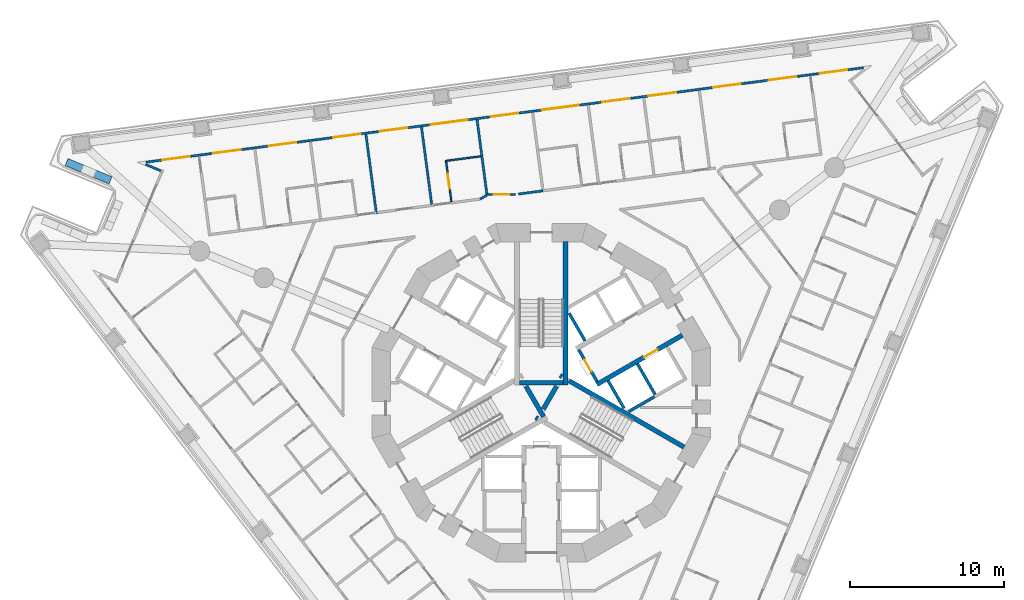
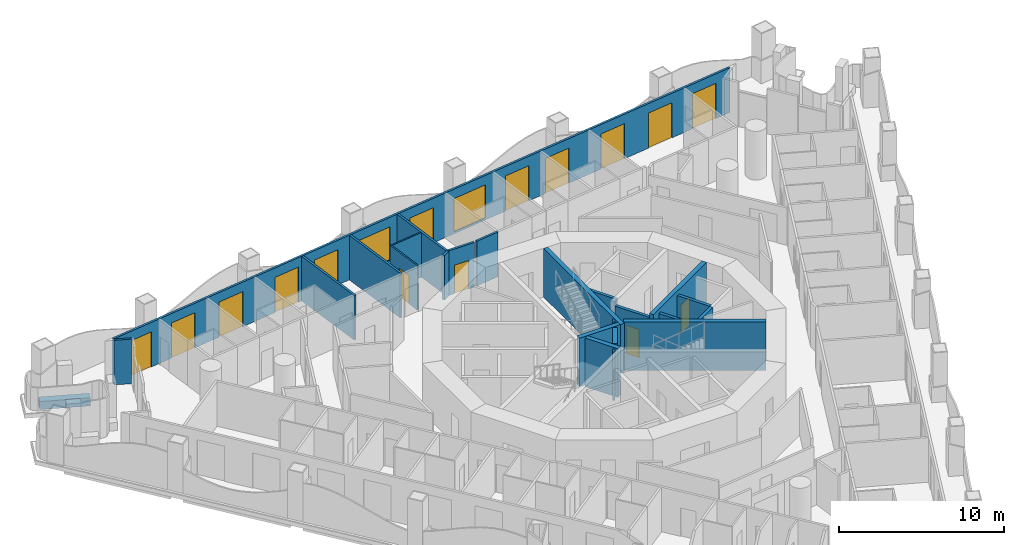
# One storey, part 8 of 19: 24 walls, 15 doors, 2 windows, 17 openings.
"""IFC4 building model written with IfcOpenShell, lengths in metres."""

from ifc_helpers import new_model, si_unit, direction, frame, frame_2d, origin, place, context, subcontext, project, spatial, polyline, rectangle, outline, extrude, material, layer, layer_set, type_object, element, fill, save


model = new_model("IFC4")

# Units and contexts
model_context = context("Model", 3, precision=1e-05, world=origin(), true_north=direction((0.0, 1.0)))
body_context = subcontext(model_context, "Body", "Model", "MODEL_VIEW")
ifc_project = project(units=[si_unit("LENGTHUNIT", "METRE"), si_unit("AREAUNIT", "SQUARE_METRE"), si_unit("VOLUMEUNIT", "CUBIC_METRE"), si_unit("PLANEANGLEUNIT", "RADIAN"), si_unit("MASSUNIT", "GRAM", prefix="KILO")], contexts=[model_context])

# Site, building, storey
site_placement = place(None, origin())
site = spatial("IfcSite", under=ifc_project, at=site_placement, CompositionType="ELEMENT")
building_placement = place(site_placement, origin())
building = spatial("IfcBuilding", under=site, at=building_placement, Name="Trine Commons Tower", CompositionType="ELEMENT")
storey_placement = place(building_placement, frame((0.0, 0.0, 54.0)))
storey = spatial("IfcBuildingStorey", under=building, at=storey_placement, Name="L12", CompositionType="ELEMENT", Elevation=54.0)

# Wall
ifc_material_1 = material(Name="Aluminium-framed insulated wall panel", Category="aluminium")
ifc_layer_1 = layer(ifc_material_1, 0.14990234375)
ifc_layer_set_1 = layer_set([ifc_layer_1], Name="Aluminium-framed insulated wall panel")
wall_type_1 = type_object("IfcWallType", Name="Glazed frame wall 150, EI 60", PredefinedType="SOLIDWALL", material=ifc_layer_set_1)
wall_1_placement = place(storey_placement, frame((55.376220703125, 76.883056640625, 0.0), z_axis=(0.0, 0.0, 1.0), x_axis=(-0.923901801611, 0.382629665579, 0.0)))
element("IfcWall", 1, at=wall_1_placement, inside=storey, type_object=wall_type_1, Name="Glazed frame wall R3", PredefinedType="SOLIDWALL", context=body_context, shape_type="SweptSolid", body=[
    extrude(outline(polyline([(0.110107421875, 0.074951171875), (0.110107421875, -0.074951171875), (1.19580078125, -0.074951171875), (1.19580078125, 0.074951171875), (0.110107421875, 0.074951171875)])), origin(), (0.0, 0.0, 1.0), 3.300048828125),
])

# Wall, openings, windows, doors
wall_2_placement = place(storey_placement, frame((54.142333984375, 77.464599609375, 0.0), z_axis=(0.0, 0.0, 1.0), x_axis=(0.991444696532, 0.130527444308, 0.0)))
wall_2 = element("IfcWall", 2, at=wall_2_placement, inside=storey, type_object=wall_type_1, Name="Glazed frame wall F1", PredefinedType="SOLIDWALL", context=body_context, shape_type="SweptSolid", body=[
    extrude(outline(polyline([(0.1494140625, 0.074951171875), (0.1494140625, -0.074951171875), (47.216796875, -0.074951171875), (47.216796875, 0.074951171875), (0.1494140625, 0.074951171875)])), origin(), (0.0, 0.0, 1.0), 3.300048828125),
])
opening_1_placement = place(wall_2_placement, frame((1.2216796875, 0.0, 0.0)))
opening_1 = element("IfcOpeningElement", 3, at=opening_1_placement, cuts=wall_2, Name="Opening BD-2F1-01", PredefinedType="OPENING", context=body_context, shape_type="SweptSolid", body=[
    extrude(rectangle(XDim=1.800048828125, YDim=2.60009765625, at=frame_2d((0.89990234375, 1.300048828125))), frame((0.0, 0.0849609375, 0.0), z_axis=(0.0, -1.0, 0.0), x_axis=(1.0, 0.0, 0.0)), (0.0, 0.0, 1.0), 0.169921875),
])
opening_2_placement = place(wall_2_placement, frame((4.5654296875, 0.0, 0.0)))
opening_2 = element("IfcOpeningElement", 4, at=opening_2_placement, cuts=wall_2, Name="Opening BD-2F1-02", PredefinedType="OPENING", context=body_context, shape_type="SweptSolid", body=[
    extrude(rectangle(XDim=1.800048828125, YDim=2.60009765625, at=frame_2d((0.89990234375, 1.300048828125))), frame((0.0, 0.0849609375, 0.0), z_axis=(0.0, -1.0, 0.0), x_axis=(1.0, 0.0, 0.0)), (0.0, 0.0, 1.0), 0.169921875),
])
opening_3_placement = place(wall_2_placement, frame((8.208984375, 0.0, 0.0)))
opening_3 = element("IfcOpeningElement", 5, at=opening_3_placement, cuts=wall_2, Name="Opening BD-2F1-03", PredefinedType="OPENING", context=body_context, shape_type="SweptSolid", body=[
    extrude(rectangle(XDim=1.800048828125, YDim=2.60009765625, at=frame_2d((0.89990234375, 1.300048828125))), frame((0.0, 0.0849609375, 0.0), z_axis=(0.0, -1.0, 0.0), x_axis=(1.0, 0.0, 0.0)), (0.0, 0.0, 1.0), 0.169921875),
])
opening_4_placement = place(wall_2_placement, frame((12.45263671875, 0.0, 0.0)))
opening_4 = element("IfcOpeningElement", 6, at=opening_4_placement, cuts=wall_2, Name="Opening BD-2F1-04", PredefinedType="OPENING", context=body_context, shape_type="SweptSolid", body=[
    extrude(rectangle(XDim=1.800048828125, YDim=2.60009765625, at=frame_2d((0.89990234375, 1.300048828125))), frame((0.0, 0.0849609375, 0.0), z_axis=(0.0, -1.0, 0.0), x_axis=(1.0, 0.0, 0.0)), (0.0, 0.0, 1.0), 0.169921875),
])
opening_5_placement = place(wall_2_placement, frame((15.49609375, 0.0, 0.0)))
opening_5 = element("IfcOpeningElement", 7, at=opening_5_placement, cuts=wall_2, Name="Opening BD-2F1-05", PredefinedType="OPENING", context=body_context, shape_type="SweptSolid", body=[
    extrude(rectangle(XDim=1.800048828125, YDim=2.60009765625, at=frame_2d((0.89990234375, 1.300048828125))), frame((0.0, 0.0849609375, 0.0), z_axis=(0.0, -1.0, 0.0), x_axis=(1.0, 0.0, 0.0)), (0.0, 0.0, 1.0), 0.169921875),
])
opening_6_placement = place(wall_2_placement, frame((18.83984375, 0.0, 0.14990234375)))
opening_6 = element("IfcOpeningElement", 8, at=opening_6_placement, cuts=wall_2, Name="Opening W-2F1-06", PredefinedType="OPENING", context=body_context, shape_type="SweptSolid", body=[
    extrude(rectangle(XDim=2.39990234375, YDim=2.449951171875, at=frame_2d((1.199951171875, 1.22509765625))), frame((0.0, 0.0849609375, 0.0), z_axis=(0.0, -1.0, 0.0), x_axis=(1.0, 0.0, 0.0)), (0.0, 0.0, 1.0), 0.169921875),
])
opening_7_placement = place(wall_2_placement, frame((22.783447265625, 0.0, 0.0)))
opening_7 = element("IfcOpeningElement", 9, at=opening_7_placement, cuts=wall_2, Name="Opening BD-2F1-07", PredefinedType="OPENING", context=body_context, shape_type="SweptSolid", body=[
    extrude(rectangle(XDim=1.800048828125, YDim=2.60009765625, at=frame_2d((0.89990234375, 1.300048828125))), frame((0.0, 0.0849609375, 0.0), z_axis=(0.0, -1.0, 0.0), x_axis=(1.0, 0.0, 0.0)), (0.0, 0.0, 1.0), 0.169921875),
])
opening_8_placement = place(wall_2_placement, frame((26.126953125, 0.0, 0.14990234375)))
opening_8 = element("IfcOpeningElement", 10, at=opening_8_placement, cuts=wall_2, Name="Opening W-2F1-08", PredefinedType="OPENING", context=body_context, shape_type="SweptSolid", body=[
    extrude(rectangle(XDim=2.39990234375, YDim=2.449951171875, at=frame_2d((1.199951171875, 1.22509765625))), frame((0.0, 0.0849609375, 0.0), z_axis=(0.0, -1.0, 0.0), x_axis=(1.0, 0.0, 0.0)), (0.0, 0.0, 1.0), 0.169921875),
])
opening_9_placement = place(wall_2_placement, frame((30.070556640625, 0.0, 0.0)))
opening_9 = element("IfcOpeningElement", 11, at=opening_9_placement, cuts=wall_2, Name="Opening BD-2F1-09", PredefinedType="OPENING", context=body_context, shape_type="SweptSolid", body=[
    extrude(rectangle(XDim=1.800048828125, YDim=2.60009765625, at=frame_2d((0.89990234375, 1.300048828125))), frame((0.0, 0.0849609375, 0.0), z_axis=(0.0, -1.0, 0.0), x_axis=(1.0, 0.0, 0.0)), (0.0, 0.0, 1.0), 0.169921875),
])
opening_10_placement = place(wall_2_placement, frame((33.1142578125, 0.0, 0.0)))
opening_10 = element("IfcOpeningElement", 12, at=opening_10_placement, cuts=wall_2, Name="Opening BD-2F1-10", PredefinedType="OPENING", context=body_context, shape_type="SweptSolid", body=[
    extrude(rectangle(XDim=1.800048828125, YDim=2.60009765625, at=frame_2d((0.89990234375, 1.300048828125))), frame((0.0, 0.0849609375, 0.0), z_axis=(0.0, -1.0, 0.0), x_axis=(1.0, 0.0, 0.0)), (0.0, 0.0, 1.0), 0.169921875),
])
opening_11_placement = place(wall_2_placement, frame((37.35791015625, 0.0, 0.0)))
opening_11 = element("IfcOpeningElement", 13, at=opening_11_placement, cuts=wall_2, Name="Opening BD-2F1-11", PredefinedType="OPENING", context=body_context, shape_type="SweptSolid", body=[
    extrude(rectangle(XDim=1.800048828125, YDim=2.60009765625, at=frame_2d((0.89990234375, 1.300048828125))), frame((0.0, 0.0849609375, 0.0), z_axis=(0.0, -1.0, 0.0), x_axis=(1.0, 0.0, 0.0)), (0.0, 0.0, 1.0), 0.169921875),
])
opening_12_placement = place(wall_2_placement, frame((41.00146484375, 0.0, 0.0)))
opening_12 = element("IfcOpeningElement", 14, at=opening_12_placement, cuts=wall_2, Name="Opening BD-2F1-12", PredefinedType="OPENING", context=body_context, shape_type="SweptSolid", body=[
    extrude(rectangle(XDim=1.800048828125, YDim=2.60009765625, at=frame_2d((0.89990234375, 1.300048828125))), frame((0.0, 0.0849609375, 0.0), z_axis=(0.0, -1.0, 0.0), x_axis=(1.0, 0.0, 0.0)), (0.0, 0.0, 1.0), 0.169921875),
])
opening_13_placement = place(wall_2_placement, frame((44.344970703125, 0.0, 0.0)))
opening_13 = element("IfcOpeningElement", 15, at=opening_13_placement, cuts=wall_2, Name="Opening BD-2F1-13", PredefinedType="OPENING", context=body_context, shape_type="SweptSolid", body=[
    extrude(rectangle(XDim=1.800048828125, YDim=2.60009765625, at=frame_2d((0.89990234375, 1.300048828125))), frame((0.0, 0.0849609375, 0.0), z_axis=(0.0, -1.0, 0.0), x_axis=(1.0, 0.0, 0.0)), (0.0, 0.0, 1.0), 0.169921875),
])
ifc_material_2 = material(Name="Anodised aluminium frame with double glazing", Category="aluminium")
window_type = type_object("IfcWindowType", Name="Fixed window 2400x2450", PartitioningType="SINGLE_PANEL", PredefinedType="WINDOW", material=ifc_material_2)
window_1_placement = place(opening_6_placement, origin())
window_1 = element("IfcWindow", 16, at=window_1_placement, inside=storey, type_object=window_type, Name="Window F1 6", OverallHeight=2.449951171875, OverallWidth=2.39990234375, PartitioningType="SINGLE_PANEL", PredefinedType="WINDOW", context=body_context, shape_type="SweptSolid", body=[
    extrude(rectangle(XDim=2.39990234375, YDim=2.449951171875, at=frame_2d((1.199951171875, 1.22509765625))), frame((0.0, 0.030029296875, 0.0), z_axis=(0.0, -1.0, 0.0), x_axis=(1.0, 0.0, 0.0)), (0.0, 0.0, 1.0), 0.06005859375),
])
fill(opening_6, window_1)
window_2_placement = place(opening_8_placement, origin())
window_2 = element("IfcWindow", 17, at=window_2_placement, inside=storey, type_object=window_type, Name="Window F1 8", OverallHeight=2.449951171875, OverallWidth=2.39990234375, PartitioningType="SINGLE_PANEL", PredefinedType="WINDOW", context=body_context, shape_type="SweptSolid", body=[
    extrude(rectangle(XDim=2.39990234375, YDim=2.449951171875, at=frame_2d((1.199951171875, 1.22509765625))), frame((0.0, 0.030029296875, 0.0), z_axis=(0.0, -1.0, 0.0), x_axis=(1.0, 0.0, 0.0)), (0.0, 0.0, 1.0), 0.06005859375),
])
fill(opening_8, window_2)
door_type_1 = type_object("IfcDoorType", Name="Sliding loggia door 1800x2600", OperationType="SLIDING_TO_LEFT", PredefinedType="DOOR", material=ifc_material_2)
door_1_placement = place(opening_1_placement, origin())
door_1 = element("IfcDoor", 18, at=door_1_placement, inside=storey, type_object=door_type_1, Name="Loggia door F1 1", OperationType="SLIDING_TO_LEFT", OverallHeight=2.60009765625, OverallWidth=1.800048828125, PredefinedType="DOOR", context=body_context, shape_type="SweptSolid", body=[
    extrude(rectangle(XDim=1.800048828125, YDim=2.60009765625, at=frame_2d((0.89990234375, 1.300048828125))), frame((0.0, 0.02490234375, 0.0), z_axis=(0.0, -1.0, 0.0), x_axis=(1.0, 0.0, 0.0)), (0.0, 0.0, 1.0), 0.050048828125),
])
fill(opening_1, door_1)
door_2_placement = place(opening_2_placement, origin())
door_2 = element("IfcDoor", 19, at=door_2_placement, inside=storey, type_object=door_type_1, Name="Loggia door F1 2", OperationType="SLIDING_TO_LEFT", OverallHeight=2.60009765625, OverallWidth=1.800048828125, PredefinedType="DOOR", context=body_context, shape_type="SweptSolid", body=[
    extrude(rectangle(XDim=1.800048828125, YDim=2.60009765625, at=frame_2d((0.89990234375, 1.300048828125))), frame((0.0, 0.02490234375, 0.0), z_axis=(0.0, -1.0, 0.0), x_axis=(1.0, 0.0, 0.0)), (0.0, 0.0, 1.0), 0.050048828125),
])
fill(opening_2, door_2)
door_3_placement = place(opening_3_placement, origin())
door_3 = element("IfcDoor", 20, at=door_3_placement, inside=storey, type_object=door_type_1, Name="Loggia door F1 3", OperationType="SLIDING_TO_LEFT", OverallHeight=2.60009765625, OverallWidth=1.800048828125, PredefinedType="DOOR", context=body_context, shape_type="SweptSolid", body=[
    extrude(rectangle(XDim=1.800048828125, YDim=2.60009765625, at=frame_2d((0.89990234375, 1.300048828125))), frame((0.0, 0.02490234375, 0.0), z_axis=(0.0, -1.0, 0.0), x_axis=(1.0, 0.0, 0.0)), (0.0, 0.0, 1.0), 0.050048828125),
])
fill(opening_3, door_3)
door_4_placement = place(opening_4_placement, origin())
door_4 = element("IfcDoor", 21, at=door_4_placement, inside=storey, type_object=door_type_1, Name="Loggia door F1 4", OperationType="SLIDING_TO_LEFT", OverallHeight=2.60009765625, OverallWidth=1.800048828125, PredefinedType="DOOR", context=body_context, shape_type="SweptSolid", body=[
    extrude(rectangle(XDim=1.800048828125, YDim=2.60009765625, at=frame_2d((0.89990234375, 1.300048828125))), frame((0.0, 0.02490234375, 0.0), z_axis=(0.0, -1.0, 0.0), x_axis=(1.0, 0.0, 0.0)), (0.0, 0.0, 1.0), 0.050048828125),
])
fill(opening_4, door_4)
door_5_placement = place(opening_5_placement, origin())
door_5 = element("IfcDoor", 22, at=door_5_placement, inside=storey, type_object=door_type_1, Name="Loggia door F1 5", OperationType="SLIDING_TO_LEFT", OverallHeight=2.60009765625, OverallWidth=1.800048828125, PredefinedType="DOOR", context=body_context, shape_type="SweptSolid", body=[
    extrude(rectangle(XDim=1.800048828125, YDim=2.60009765625, at=frame_2d((0.89990234375, 1.300048828125))), frame((0.0, 0.02490234375, 0.0), z_axis=(0.0, -1.0, 0.0), x_axis=(1.0, 0.0, 0.0)), (0.0, 0.0, 1.0), 0.050048828125),
])
fill(opening_5, door_5)
door_6_placement = place(opening_7_placement, origin())
door_6 = element("IfcDoor", 23, at=door_6_placement, inside=storey, type_object=door_type_1, Name="Loggia door F1 7", OperationType="SLIDING_TO_LEFT", OverallHeight=2.60009765625, OverallWidth=1.800048828125, PredefinedType="DOOR", context=body_context, shape_type="SweptSolid", body=[
    extrude(rectangle(XDim=1.800048828125, YDim=2.60009765625, at=frame_2d((0.89990234375, 1.300048828125))), frame((0.0, 0.02490234375, 0.0), z_axis=(0.0, -1.0, 0.0), x_axis=(1.0, 0.0, 0.0)), (0.0, 0.0, 1.0), 0.050048828125),
])
fill(opening_7, door_6)
door_7_placement = place(opening_9_placement, origin())
door_7 = element("IfcDoor", 24, at=door_7_placement, inside=storey, type_object=door_type_1, Name="Loggia door F1 9", OperationType="SLIDING_TO_LEFT", OverallHeight=2.60009765625, OverallWidth=1.800048828125, PredefinedType="DOOR", context=body_context, shape_type="SweptSolid", body=[
    extrude(rectangle(XDim=1.800048828125, YDim=2.60009765625, at=frame_2d((0.89990234375, 1.300048828125))), frame((0.0, 0.02490234375, 0.0), z_axis=(0.0, -1.0, 0.0), x_axis=(1.0, 0.0, 0.0)), (0.0, 0.0, 1.0), 0.050048828125),
])
fill(opening_9, door_7)
door_8_placement = place(opening_10_placement, origin())
door_8 = element("IfcDoor", 25, at=door_8_placement, inside=storey, type_object=door_type_1, Name="Loggia door F1 10", OperationType="SLIDING_TO_LEFT", OverallHeight=2.60009765625, OverallWidth=1.800048828125, PredefinedType="DOOR", context=body_context, shape_type="SweptSolid", body=[
    extrude(rectangle(XDim=1.800048828125, YDim=2.60009765625, at=frame_2d((0.89990234375, 1.300048828125))), frame((0.0, 0.02490234375, 0.0), z_axis=(0.0, -1.0, 0.0), x_axis=(1.0, 0.0, 0.0)), (0.0, 0.0, 1.0), 0.050048828125),
])
fill(opening_10, door_8)
door_9_placement = place(opening_11_placement, origin())
door_9 = element("IfcDoor", 26, at=door_9_placement, inside=storey, type_object=door_type_1, Name="Loggia door F1 11", OperationType="SLIDING_TO_LEFT", OverallHeight=2.60009765625, OverallWidth=1.800048828125, PredefinedType="DOOR", context=body_context, shape_type="SweptSolid", body=[
    extrude(rectangle(XDim=1.800048828125, YDim=2.60009765625, at=frame_2d((0.89990234375, 1.300048828125))), frame((0.0, 0.02490234375, 0.0), z_axis=(0.0, -1.0, 0.0), x_axis=(1.0, 0.0, 0.0)), (0.0, 0.0, 1.0), 0.050048828125),
])
fill(opening_11, door_9)
door_10_placement = place(opening_12_placement, origin())
door_10 = element("IfcDoor", 27, at=door_10_placement, inside=storey, type_object=door_type_1, Name="Loggia door F1 12", OperationType="SLIDING_TO_LEFT", OverallHeight=2.60009765625, OverallWidth=1.800048828125, PredefinedType="DOOR", context=body_context, shape_type="SweptSolid", body=[
    extrude(rectangle(XDim=1.800048828125, YDim=2.60009765625, at=frame_2d((0.89990234375, 1.300048828125))), frame((0.0, 0.02490234375, 0.0), z_axis=(0.0, -1.0, 0.0), x_axis=(1.0, 0.0, 0.0)), (0.0, 0.0, 1.0), 0.050048828125),
])
fill(opening_12, door_10)
door_11_placement = place(opening_13_placement, origin())
door_11 = element("IfcDoor", 28, at=door_11_placement, inside=storey, type_object=door_type_1, Name="Loggia door F1 13", OperationType="SLIDING_TO_LEFT", OverallHeight=2.60009765625, OverallWidth=1.800048828125, PredefinedType="DOOR", context=body_context, shape_type="SweptSolid", body=[
    extrude(rectangle(XDim=1.800048828125, YDim=2.60009765625, at=frame_2d((0.89990234375, 1.300048828125))), frame((0.0, 0.02490234375, 0.0), z_axis=(0.0, -1.0, 0.0), x_axis=(1.0, 0.0, 0.0)), (0.0, 0.0, 1.0), 0.050048828125),
])
fill(opening_13, door_11)

# Wall, opening, door
ifc_material_3 = material(Name="Fire-rated gypsum shaft wall system")
ifc_layer_2 = layer(ifc_material_3, 0.199951171875)
ifc_layer_set_2 = layer_set([ifc_layer_2], Name="Fire-rated gypsum shaft wall system")
wall_type_2 = type_object("IfcWallType", Name="Lobby end wall 200 mm, EI 120", PredefinedType="PARTITIONING", material=ifc_layer_set_2)
wall_3_placement = place(storey_placement, frame((83.631103515625, 63.2109375, 0.0), z_axis=(0.0, 0.0, 1.0), x_axis=(-0.50012165622, 0.865955154139, 0.0)))
wall_3 = element("IfcWall", 29, at=wall_3_placement, inside=storey, type_object=wall_type_2, Name="Lobby end wall L12", PredefinedType="PARTITIONING", context=body_context, shape_type="SweptSolid", body=[
    extrude(rectangle(XDim=2.39990234375, YDim=0.199951171875, at=frame_2d((1.199951171875, 0.0))), origin(), (0.0, 0.0, 1.0), 3.300048828125),
])
opening_14_placement = place(wall_3_placement, frame((0.749755859375, 0.0, 0.0)))
opening_14 = element("IfcOpeningElement", 30, at=opening_14_placement, cuts=wall_3, Name="Opening K07.05", PredefinedType="OPENING", context=body_context, shape_type="SweptSolid", body=[
    extrude(rectangle(XDim=0.89990234375, YDim=2.10009765625, at=frame_2d((0.449951171875, 1.050048828125))), frame((0.0, 0.10986328125, 0.0), z_axis=(0.0, -1.0, 0.0), x_axis=(1.0, 0.0, 0.0)), (0.0, 0.0, 1.0), 0.219970703125),
])
ifc_material_4 = material(Name="Steel door leaf, fire-rated", Category="steel")
door_type_2 = type_object("IfcDoorType", Name="Riser access door, single leaf 900 x 2100, FD60", OperationType="SINGLE_SWING_LEFT", PredefinedType="DOOR", material=ifc_material_4)
door_12_placement = place(opening_14_placement, frame((0.89990234375, 0.0, 0.0), z_axis=(0.0, 0.0, 1.0), x_axis=(-1.0, 0.0, 0.0)))
door_12 = element("IfcDoor", 31, at=door_12_placement, inside=storey, type_object=door_type_2, Name="Riser door, Electrical riser L12", OperationType="SINGLE_SWING_LEFT", OverallHeight=2.10009765625, OverallWidth=0.89990234375, PredefinedType="DOOR", context=body_context, shape_type="SweptSolid", body=[
    extrude(rectangle(XDim=0.89990234375, YDim=2.10009765625, at=frame_2d((0.449951171875, 1.050048828125))), frame((0.0, 0.02490234375, 0.0), z_axis=(0.0, -1.0, 0.0), x_axis=(1.0, 0.0, 0.0)), (0.0, 0.0, 1.0), 0.050048828125),
])
fill(opening_14, door_12)

# Wall
ifc_material_5 = material(Name="Planter trough, precast concrete C40/50", Category="concrete")
ifc_layer_3 = layer(ifc_material_5, 0.5)
ifc_layer_set_3 = layer_set([ifc_layer_3], Name="Planter trough, precast concrete C40/50")
wall_type_3 = type_object("IfcWallType", Name="Planter trough 500x600", PredefinedType="PARAPET", material=ifc_layer_set_3)
wall_4_placement = place(storey_placement, frame((51.99853515625, 76.306640625, 0.0), z_axis=(0.0, 0.0, 1.0), x_axis=(-0.923883411188, 0.382674068277, 0.0)))
element("IfcWall", 32, at=wall_4_placement, inside=storey, type_object=wall_type_3, Name="Planter 3", PredefinedType="PARAPET", context=body_context, shape_type="SweptSolid", body=[
    extrude(rectangle(XDim=3.099853515625, YDim=0.5, at=frame_2d((1.5498046875, 0.0))), origin(), (0.0, 0.0, 1.0), 0.60009765625),
])

# Wall, opening, door
ifc_material_6 = material(Name="Concrete C80/95", Category="concrete")
ifc_layer_4 = layer(ifc_material_6, 0.300048828125)
ifc_layer_set_4 = layer_set([ifc_layer_4], Name="Concrete C80/95")
wall_type_4 = type_object("IfcWallType", Name="RC shear wall 300 mm, C80/95", PredefinedType="SHEAR", material=ifc_layer_set_4)
wall_5_placement = place(storey_placement, frame((83.618896484375, 63.031005859375, 0.0), z_axis=(0.0, 0.0, 1.0), x_axis=(0.866032150378, 0.499988314375, 0.0)))
wall_5 = element("IfcWall", 33, at=wall_5_placement, inside=storey, type_object=wall_type_4, Name="Core cross wall SWA-06 L12", PredefinedType="SHEAR", context=body_context, shape_type="SweptSolid", body=[
    extrude(rectangle(XDim=6.412353515625, YDim=0.300048828125, at=frame_2d((3.2060546875, 0.0))), origin(), (0.0, 0.0, 1.0), 3.60009765625),
])
opening_15_placement = place(wall_5_placement, frame((3.55029296875, 0.0, 0.0)))
opening_15 = element("IfcOpeningElement", 34, at=opening_15_placement, cuts=wall_5, Name="Opening LD2", PredefinedType="OPENING", context=body_context, shape_type="SweptSolid", body=[
    extrude(rectangle(XDim=1.0, YDim=2.10009765625, at=frame_2d((0.5, 1.050048828125))), frame((0.0, 0.159912109375, 0.0), z_axis=(0.0, -1.0, 0.0), x_axis=(1.0, 0.0, 0.0)), (0.0, 0.0, 1.0), 0.320068359375),
])
ifc_material_7 = material(Name="Stainless steel sliding door leaves", Category="steel")
door_type_3 = type_object("IfcDoorType", Name="Lift landing door, centre-opening sliding 1000 x 2100, FD90", OperationType="DOUBLE_DOOR_SLIDING", PredefinedType="DOOR", material=ifc_material_7)
door_13_placement = place(opening_15_placement, origin())
door_13 = element("IfcDoor", 35, at=door_13_placement, inside=storey, type_object=door_type_3, Name="Lift landing door LR2 L12", OperationType="DOUBLE_DOOR_SLIDING", OverallHeight=2.10009765625, OverallWidth=1.0, PredefinedType="DOOR", context=body_context, shape_type="SweptSolid", body=[
    extrude(rectangle(XDim=1.0, YDim=2.10009765625, at=frame_2d((0.5, 1.050048828125))), frame((0.0, 0.02490234375, 0.0), z_axis=(0.0, -1.0, 0.0), x_axis=(1.0, 0.0, 0.0)), (0.0, 0.0, 1.0), 0.050048828125),
])
fill(opening_15, door_13)

# Walls
wall_6_placement = place(storey_placement, frame((79.0029296875, 62.926025390625, 0.0), z_axis=(0.0, 0.0, 1.0), x_axis=(0.499965247104, -0.866045467449, 0.0)))
element("IfcWall", 36, at=wall_6_placement, inside=storey, type_object=wall_type_4, Name="Core cross wall SWA-10 L12", PredefinedType="SHEAR", context=body_context, shape_type="SweptSolid", body=[
    extrude(rectangle(XDim=2.292236328125, YDim=0.300048828125, at=frame_2d((1.14599609375, 0.0))), origin(), (0.0, 0.0, 1.0), 3.60009765625),
])
wall_7_placement = place(storey_placement, frame((79.64599609375, 60.885986328125, 0.0), z_axis=(0.0, 0.0, 1.0), x_axis=(0.867331893649, -0.497730234424, 0.0)))
element("IfcWall", 37, at=wall_7_placement, inside=storey, type_object=wall_type_4, Name="Core cross wall SWA-11 L12", PredefinedType="SHEAR", context=body_context, shape_type="SweptSolid", body=[
    extrude(rectangle(XDim=0.148681640625, YDim=0.300048828125, at=frame_2d((0.07421875, 0.0))), origin(), (0.0, 0.0, 1.0), 3.60009765625),
])
wall_8_placement = place(storey_placement, frame((80.1298828125, 61.424072265625, 0.0), z_axis=(0.0, 0.0, 1.0), x_axis=(0.500014901547, 0.866016800201, 0.0)))
element("IfcWall", 38, at=wall_8_placement, inside=storey, type_object=wall_type_4, Name="Core cross wall SWA-12 L12", PredefinedType="SHEAR", context=body_context, shape_type="SweptSolid", body=[
    extrude(rectangle(XDim=1.734375, YDim=0.300048828125, at=frame_2d((0.8671875, 0.0))), origin(), (0.0, 0.0, 1.0), 3.60009765625),
])
wall_9_placement = place(storey_placement, frame((81.220947265625, 63.614013671875, 0.0), z_axis=(0.0, 0.0, 1.0), x_axis=(0.867737973955, -0.497021939713, 0.0)))
element("IfcWall", 39, at=wall_9_placement, inside=storey, type_object=wall_type_4, Name="Core cross wall SWA-15 L12", PredefinedType="SHEAR", context=body_context, shape_type="SweptSolid", body=[
    extrude(rectangle(XDim=0.14892578125, YDim=0.300048828125, at=frame_2d((0.074462890625, 0.0))), origin(), (0.0, 0.0, 1.0), 3.60009765625),
])
wall_10_placement = place(storey_placement, frame((81.425048828125, 63.15087890625, 0.0), z_axis=(0.0, 0.0, 1.0), x_axis=(-1.0, 0.0, 0.0)))
element("IfcWall", 40, at=wall_10_placement, inside=storey, type_object=wall_type_4, Name="Core cross wall SWA-16 L12", PredefinedType="SHEAR", context=body_context, shape_type="SweptSolid", body=[
    extrude(rectangle(XDim=2.85009765625, YDim=0.300048828125, at=frame_2d((1.425048828125, 0.0))), origin(), (0.0, 0.0, 1.0), 3.60009765625),
])
wall_11_placement = place(storey_placement, frame((81.574951171875, 63.0009765625, 0.0), z_axis=(0.0, 0.0, 1.0), x_axis=(0.0, 1.0, 0.0)))
element("IfcWall", 41, at=wall_11_placement, inside=storey, type_object=wall_type_4, Name="Core cross wall SWA-17 L12", PredefinedType="SHEAR", context=body_context, shape_type="SweptSolid", body=[
    extrude(rectangle(XDim=9.31103515625, YDim=0.300048828125, at=frame_2d((4.655517578125, 0.0))), origin(), (0.0, 0.0, 1.0), 3.60009765625),
])
wall_12_placement = place(storey_placement, frame((81.800048828125, 63.280029296875, 0.0), z_axis=(0.0, 0.0, 1.0), x_axis=(0.865965399159, -0.500103916661, 0.0)))
element("IfcWall", 42, at=wall_12_placement, inside=storey, type_object=wall_type_4, Name="Core cross wall SWA-18 L12", PredefinedType="SHEAR", context=body_context, shape_type="SweptSolid", body=[
    extrude(rectangle(XDim=8.642333984375, YDim=0.300048828125, at=frame_2d((4.3212890625, 0.0))), origin(), (0.0, 0.0, 1.0), 3.60009765625),
])
ifc_layer_5 = layer(ifc_material_3, 0.199951171875)
ifc_layer_set_5 = layer_set([ifc_layer_5], Name="Fire-rated gypsum shaft wall system")
wall_type_5 = type_object("IfcWallType", Name="Shaft wall 200 mm, EI 120", PredefinedType="PARTITIONING", material=ifc_layer_set_5)
wall_13_placement = place(storey_placement, frame((82.843994140625, 65.8740234375, 0.0), z_axis=(0.0, 0.0, 1.0), x_axis=(-0.499865770674, 0.866102887253, 0.0)))
element("IfcWall", 43, at=wall_13_placement, inside=storey, type_object=wall_type_5, Name="Shaft wall L12", PredefinedType="PARTITIONING", context=body_context, shape_type="SweptSolid", body=[
    extrude(rectangle(XDim=2.064453125, YDim=0.199951171875, at=frame_2d((1.0322265625, 0.0))), origin(), (0.0, 0.0, 1.0), 3.300048828125),
])
wall_14_placement = place(storey_placement, frame((84.343994140625, 63.27587890625, 0.0), z_axis=(0.0, 0.0, 1.0), x_axis=(0.500271688072, -0.86586848777, 0.0)))
element("IfcWall", 44, at=wall_14_placement, inside=storey, type_object=wall_type_5, Name="Shaft wall L12", PredefinedType="PARTITIONING", context=body_context, shape_type="SweptSolid", body=[
    extrude(rectangle(XDim=2.064697265625, YDim=0.199951171875, at=frame_2d((1.0322265625, 0.0))), origin(), (0.0, 0.0, 1.0), 3.300048828125),
])
wall_15_placement = place(storey_placement, frame((85.675048828125, 61.27294921875, 0.0), z_axis=(0.0, 0.0, 1.0), x_axis=(0.865780634835, 0.500423712812, 0.0)))
element("IfcWall", 45, at=wall_15_placement, inside=storey, type_object=wall_type_5, Name="Shaft wall L12", PredefinedType="PARTITIONING", context=body_context, shape_type="SweptSolid", body=[
    extrude(rectangle(XDim=1.948486328125, YDim=0.199951171875, at=frame_2d((0.97412109375, 0.0))), origin(), (0.0, 0.0, 1.0), 3.300048828125),
])
wall_16_placement = place(storey_placement, frame((86.2490234375, 64.3759765625, 0.0), z_axis=(0.0, 0.0, 1.0), x_axis=(0.500136062276, -0.86594683394, 0.0)))
element("IfcWall", 46, at=wall_16_placement, inside=storey, type_object=wall_type_5, Name="Shaft wall L12", PredefinedType="PARTITIONING", context=body_context, shape_type="SweptSolid", body=[
    extrude(rectangle(XDim=2.299072265625, YDim=0.199951171875, at=frame_2d((1.1494140625, 0.0))), origin(), (0.0, 0.0, 1.0), 3.300048828125),
])
ifc_material_8 = material(Name="Gypsum plasterboard on steel stud", Category="steel")
ifc_layer_6 = layer(ifc_material_8, 0.14990234375)
ifc_layer_set_6 = layer_set([ifc_layer_6], Name="Gypsum plasterboard on steel stud")
wall_type_6 = type_object("IfcWallType", Name="Unit and corridor wall 150 mm, EI 60", PredefinedType="PARTITIONING", material=ifc_layer_set_6)
wall_17_placement = place(storey_placement, frame((68.602294921875, 79.292236328125, 0.0), z_axis=(0.0, 0.0, 1.0), x_axis=(0.130516294002, -0.991446164449, 0.0)))
element("IfcWall", 47, at=wall_17_placement, inside=storey, type_object=wall_type_6, Name="Partition 049", PredefinedType="PARTITIONING", context=body_context, shape_type="SweptSolid", body=[
    extrude(rectangle(XDim=5.21337890625, YDim=0.14990234375, at=frame_2d((2.606689453125, 0.0))), origin(), (0.0, 0.0, 1.0), 3.300048828125),
])
wall_18_placement = place(storey_placement, frame((72.214111328125, 79.768310546875, 0.0), z_axis=(0.0, 0.0, 1.0), x_axis=(0.130546792746, -0.991442149045, 0.0)))
element("IfcWall", 48, at=wall_18_placement, inside=storey, type_object=wall_type_6, Name="Partition 060", PredefinedType="PARTITIONING", context=body_context, shape_type="SweptSolid", body=[
    extrude(rectangle(XDim=5.064453125, YDim=0.14990234375, at=frame_2d((2.5322265625, 0.0))), origin(), (0.0, 0.0, 1.0), 3.300048828125),
])
wall_19_placement = place(storey_placement, frame((75.8271484375, 80.244384765625, 0.0), z_axis=(0.0, 0.0, 1.0), x_axis=(0.130426407647, -0.991457993154, 0.0)))
element("IfcWall", 49, at=wall_19_placement, inside=storey, type_object=wall_type_6, Name="Partition 073", PredefinedType="PARTITIONING", context=body_context, shape_type="SweptSolid", body=[
    extrude(rectangle(XDim=4.943603515625, YDim=0.14990234375, at=frame_2d((2.4716796875, 0.0))), origin(), (0.0, 0.0, 1.0), 3.300048828125),
])
wall_20_placement = place(storey_placement, frame((76.01806640625, 75.08203125, 0.0), z_axis=(0.0, 0.0, 1.0), x_axis=(0.866446896963, 0.499269240734, 0.0)))
element("IfcWall", 50, at=wall_20_placement, inside=storey, type_object=wall_type_6, Name="Partition 074", PredefinedType="PARTITIONING", context=body_context, shape_type="SweptSolid", body=[
    extrude(rectangle(XDim=0.528564453125, YDim=0.14990234375, at=frame_2d((0.26416015625, 0.0))), origin(), (0.0, 0.0, 1.0), 3.300048828125),
])

# Wall, opening, door
wall_21_placement = place(storey_placement, frame((76.547119140625, 75.386962890625, 0.0), z_axis=(0.0, 0.0, 1.0), x_axis=(1.0, 0.0, 0.0)))
wall_21 = element("IfcWall", 51, at=wall_21_placement, inside=storey, type_object=wall_type_6, Name="Partition 076", PredefinedType="PARTITIONING", context=body_context, shape_type="SweptSolid", body=[
    extrude(rectangle(XDim=1.788818359375, YDim=0.14990234375, at=frame_2d((0.89453125, 0.0))), origin(), (0.0, 0.0, 1.0), 3.300048828125),
])
opening_16_placement = place(wall_21_placement, frame((0.3779296875, 0.0, 0.0)))
opening_16 = element("IfcOpeningElement", 52, at=opening_16_placement, cuts=wall_21, Name="Opening D-2A12", PredefinedType="OPENING", context=body_context, shape_type="SweptSolid", body=[
    extrude(rectangle(XDim=1.0, YDim=2.10009765625, at=frame_2d((0.5, 1.050048828125))), frame((0.0, 0.0849609375, 0.0), z_axis=(0.0, -1.0, 0.0), x_axis=(1.0, 0.0, 0.0)), (0.0, 0.0, 1.0), 0.169921875),
])
ifc_material_9 = material(Name="Painted timber", Category="wood")
door_type_4 = type_object("IfcDoorType", Name="Amenity room door 1000 x 2100, NOT RATED", OperationType="NOTDEFINED", PredefinedType="DOOR", material=ifc_material_9)
door_14_placement = place(opening_16_placement, origin())
door_14 = element("IfcDoor", 53, at=door_14_placement, inside=storey, type_object=door_type_4, Name="Door D-2A12", OperationType="SINGLE_SWING_LEFT", OverallHeight=2.10009765625, OverallWidth=1.0, PredefinedType="DOOR", context=body_context, shape_type="SweptSolid", body=[
    extrude(rectangle(XDim=1.0, YDim=2.10009765625, at=frame_2d((0.5, 1.050048828125))), frame((0.0, 0.02490234375, 0.0), z_axis=(0.0, -1.0, 0.0), x_axis=(1.0, 0.0, 0.0)), (0.0, 0.0, 1.0), 0.050048828125),
])
fill(opening_16, door_14)

# Wall
wall_22_placement = place(storey_placement, frame((78.508056640625, 75.4130859375, 0.0), z_axis=(0.0, 0.0, 1.0), x_axis=(0.991484025307, 0.13022836696, 0.0)))
element("IfcWall", 54, at=wall_22_placement, inside=storey, type_object=wall_type_6, Name="Partition 080", PredefinedType="PARTITIONING", context=body_context, shape_type="SweptSolid", body=[
    extrude(rectangle(XDim=1.61962890625, YDim=0.14990234375, at=frame_2d((0.809814453125, 0.0))), origin(), (0.0, 0.0, 1.0), 3.300048828125),
])

# Wall, opening, door
ifc_layer_7 = layer(ifc_material_8, 0.10009765625)
ifc_layer_set_7 = layer_set([ifc_layer_7], Name="Gypsum plasterboard on steel stud")
wall_type_7 = type_object("IfcWallType", Name="Unit partition 100 mm, no rating", PredefinedType="PARTITIONING", material=ifc_layer_set_7)
wall_23_placement = place(storey_placement, frame((73.802490234375, 77.61865234375, 0.0), z_axis=(0.0, 0.0, 1.0), x_axis=(0.130514759302, -0.991446366479, 0.0)))
wall_23 = element("IfcWall", 55, at=wall_23_placement, inside=storey, type_object=wall_type_7, Name="Partition 066", PredefinedType="PARTITIONING", context=body_context, shape_type="SweptSolid", body=[
    extrude(rectangle(XDim=2.725341796875, YDim=0.10009765625, at=frame_2d((1.36279296875, 0.0))), origin(), (0.0, 0.0, 1.0), 3.300048828125),
])
opening_17_placement = place(wall_23_placement, frame((0.8876953125, 0.0, 0.0)))
opening_17 = element("IfcOpeningElement", 56, at=opening_17_placement, cuts=wall_23, Name="Opening D-2A44", PredefinedType="OPENING", context=body_context, shape_type="SweptSolid", body=[
    extrude(rectangle(XDim=1.0, YDim=2.10009765625, at=frame_2d((0.5, 1.050048828125))), frame((0.0, 0.06005859375, 0.0), z_axis=(0.0, -1.0, 0.0), x_axis=(1.0, 0.0, 0.0)), (0.0, 0.0, 1.0), 0.1201171875),
])
door_type_5 = type_object("IfcDoorType", Name="Internal door 1000 x 2100, NOT RATED", OperationType="NOTDEFINED", PredefinedType="DOOR", material=ifc_material_9)
door_15_placement = place(opening_17_placement, frame((1.0, 0.0, 0.0), z_axis=(0.0, 0.0, 1.0), x_axis=(-1.0, 0.0, 0.0)))
door_15 = element("IfcDoor", 57, at=door_15_placement, inside=storey, type_object=door_type_5, Name="Door D-2A44", OperationType="SINGLE_SWING_LEFT", OverallHeight=2.10009765625, OverallWidth=1.0, PredefinedType="DOOR", context=body_context, shape_type="SweptSolid", body=[
    extrude(rectangle(XDim=1.0, YDim=2.10009765625, at=frame_2d((0.5, 1.050048828125))), frame((0.0, 0.02490234375, 0.0), z_axis=(0.0, -1.0, 0.0), x_axis=(1.0, 0.0, 0.0)), (0.0, 0.0, 1.0), 0.050048828125),
])
fill(opening_17, door_15)

# Wall
wall_24_placement = place(storey_placement, frame((73.858642578125, 77.575439453125, 0.0), z_axis=(0.0, 0.0, 1.0), x_axis=(0.991425141763, 0.130675890199, 0.0)))
element("IfcWall", 58, at=wall_24_placement, inside=storey, type_object=wall_type_7, Name="Partition 067", PredefinedType="PARTITIONING", context=body_context, shape_type="SweptSolid", body=[
    extrude(rectangle(XDim=2.22509765625, YDim=0.10009765625, at=frame_2d((1.112548828125, 0.0))), origin(), (0.0, 0.0, 1.0), 3.300048828125),
])

save(model, "model.ifc")
